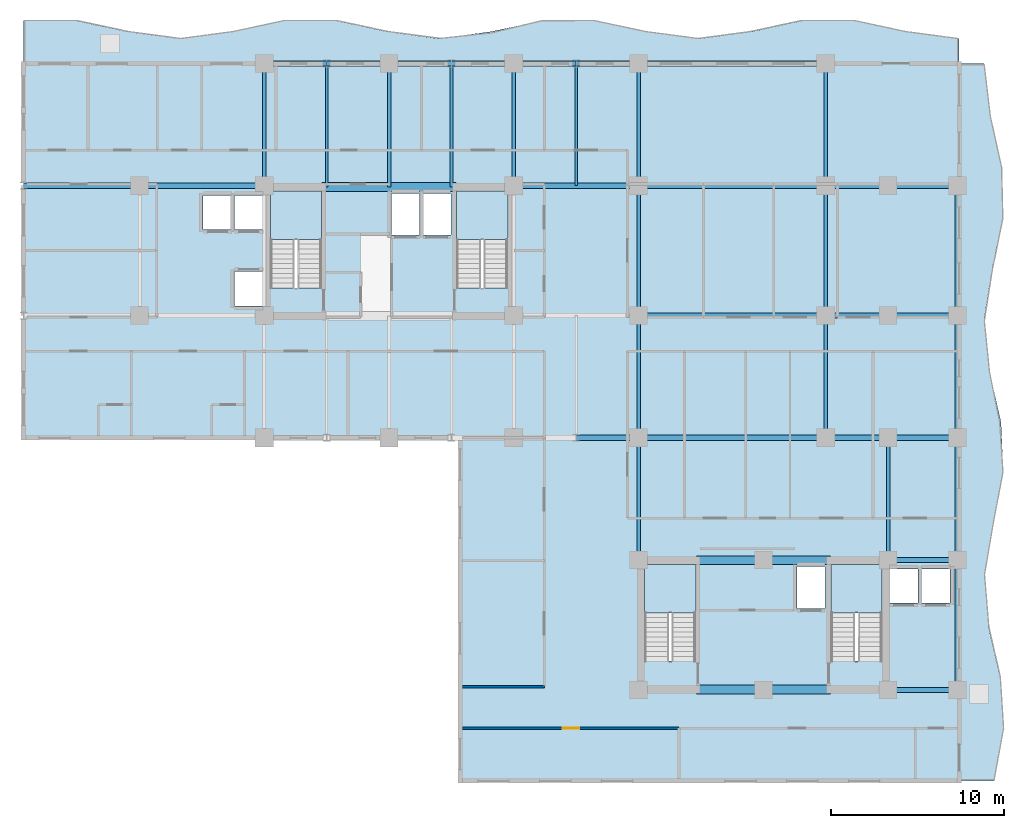
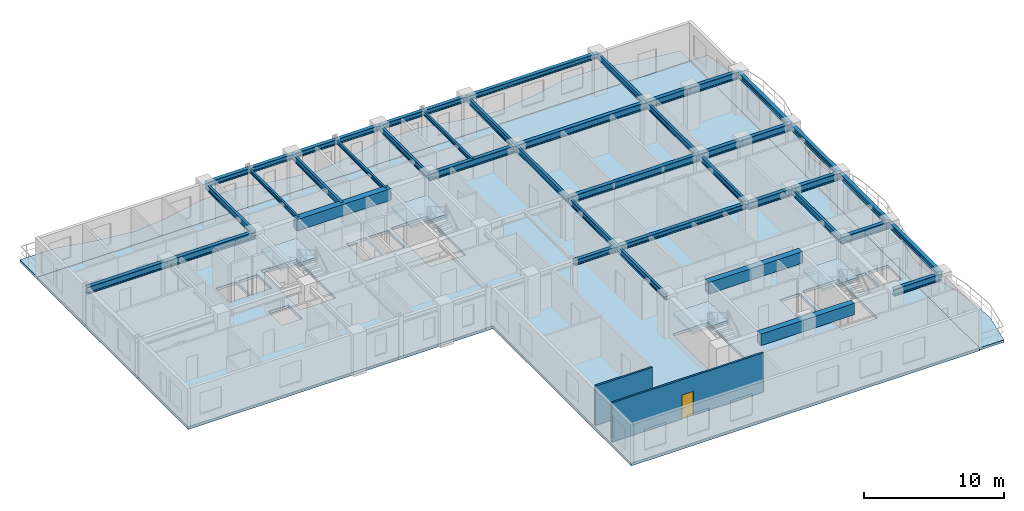
# One storey, part 3 of 12: 43 beams, 7 slabs, 2 walls, 1 door, 1 opening, 4 elements without a shape of their own.
"""IFC4 building model written with IfcOpenShell, lengths in metres."""

from ifc_helpers import new_model, si_unit, direction, frame, frame_2d, origin, origin_2d, place, context, subcontext, project, spatial, polyline, rectangle, i_section, outline, extrude, source, transform, mapped, material, layer, layer_set, material_profile, profile_set, type_object, element, fill, aggregate, save


model = new_model("IFC4")

# Units and contexts
model_context = context("Model", 3, precision=1e-05, world=origin(), true_north=direction((0.0, 1.0)))
body_context = subcontext(model_context, "Body", "Model", "MODEL_VIEW")
ifc_project = project(units=[si_unit("LENGTHUNIT", "METRE"), si_unit("AREAUNIT", "SQUARE_METRE"), si_unit("VOLUMEUNIT", "CUBIC_METRE"), si_unit("PLANEANGLEUNIT", "RADIAN"), si_unit("MASSUNIT", "GRAM", prefix="KILO")], contexts=[model_context])

# Site, building, storey
site_placement = place(None, origin())
site = spatial("IfcSite", under=ifc_project, at=site_placement, CompositionType="ELEMENT")
building_placement = place(site_placement, origin())
building = spatial("IfcBuilding", under=site, at=building_placement, Name="Kaliganga Portal Commons", CompositionType="ELEMENT")
storey_placement = place(building_placement, frame((0.0, 0.0, 147.60009765625)))
storey = spatial("IfcBuildingStorey", under=building, at=storey_placement, Name="L37", CompositionType="ELEMENT", Elevation=147.60009765625)

# Beams
ifc_material_1 = material(Name="Concrete C50/60", Category="concrete")
ifc_material_profile_1 = material_profile(ifc_material_1, rectangle(XDim=0.5, YDim=1.0, at=origin_2d()), Name="RC 500x1000")
ifc_profile_set_1 = profile_set([ifc_material_profile_1], Name="Concrete C50/60")
beam_type_1 = type_object("IfcBeamType", Name="BM-CPL-1000", PredefinedType="LINTEL", material=ifc_profile_set_1)
shared_shape_1 = source(origin(), body_context, "Body", "SweptSolid", [
    extrude(rectangle(XDim=0.5, YDim=1.0, at=origin_2d()), origin(), (0.0, 0.0, 1.0), 7.739990234375),
])
for number, where, z_axis, x_axis, name in (
    (1, (17.72998046875, 36.074951171875, 2.9599609375), (1.0, 0.0, 0.0), (0.0, 1.0, 0.0), "BM CPL COREA L37 N"),
    (2, (39.330078125, 7.074951171875, 2.9599609375), (1.0, 0.0, 0.0), (0.0, 1.0, 0.0), "BM CPL COREB L37 S"),
    (3, (39.330078125, 14.52490234375, 2.9599609375), (1.0, 0.0, 0.0), (0.0, 1.0, 0.0), "BM CPL COREB L37 N"),
):
    element("IfcBeam", number, at=place(storey_placement, frame(where, z_axis=z_axis, x_axis=x_axis)), inside=storey, type_object=beam_type_1, Name=name, PredefinedType="LINTEL", context=body_context, shape_type="MappedRepresentation", body=[
        mapped(shared_shape_1, transform((0.0, 0.0, 0.0), x_axis=(1.0, 0.0, 0.0), y_axis=(0.0, 1.0, 0.0), z_axis=(0.0, 0.0, 1.0), scale=1.0)),
    ])
ifc_material_2 = material(Name="Structural steel S355J2", Category="steel")
ifc_material_profile_2 = material_profile(ifc_material_2, i_section(OverallWidth=0.199951171875, OverallDepth=0.5, WebThickness=0.01025390625, FlangeThickness=0.01611328125, FilletRadius=0.02099609375, at=origin_2d()), Name="IPE 500")
ifc_profile_set_2 = profile_set([ifc_material_profile_2], Name="Structural steel S355J2 wide-flange")
beam_type_2 = type_object("IfcBeamType", Name="BM-FLR-500", PredefinedType="BEAM", material=ifc_profile_set_2)
shared_shape_2 = source(origin(), body_context, "Body", "SweptSolid", [
    extrude(i_section(OverallWidth=0.199951171875, OverallDepth=0.5, WebThickness=0.01025390625, FlangeThickness=0.01611328125, FilletRadius=0.02099609375, at=origin_2d()), origin(), (0.0, 0.0, 1.0), 7.5),
])
for number, where, z_axis, x_axis, name in (
    (4, (36.0, 28.64990234375, 3.2099609375), (0.0, 1.0, 0.0), (-1.0, 0.0, 0.0), "BM G L37 AM360"),
    (5, (46.800048828125, 28.64990234375, 3.2099609375), (0.0, 1.0, 0.0), (-1.0, 0.0, 0.0), "BM G L37 AM468"),
):
    element("IfcBeam", number, at=place(storey_placement, frame(where, z_axis=z_axis, x_axis=x_axis)), inside=storey, type_object=beam_type_2, Name=name, PredefinedType="BEAM", context=body_context, shape_type="MappedRepresentation", body=[
        mapped(shared_shape_2, transform((0.0, 0.0, 0.0), x_axis=(1.0, 0.0, 0.0), y_axis=(0.0, 1.0, 0.0), z_axis=(0.0, 0.0, 1.0), scale=1.0)),
    ])
shared_shape_3 = source(origin(), body_context, "Body", "SweptSolid", [
    extrude(i_section(OverallWidth=0.199951171875, OverallDepth=0.5, WebThickness=0.01025390625, FlangeThickness=0.01611328125, FilletRadius=0.02099609375, at=origin_2d()), origin(), (0.0, 0.0, 1.0), 7.050048828125),
])
for number, where, z_axis, x_axis, name in (
    (6, (14.39990234375, 36.14990234375, 3.2099609375), (0.0, 1.0, 0.0), (-1.0, 0.0, 0.0), "BM G L37 AN144"),
    (7, (28.800048828125, 36.14990234375, 3.2099609375), (0.0, 1.0, 0.0), (-1.0, 0.0, 0.0), "BM G L37 AN288"),
    (8, (36.0, 36.14990234375, 3.2099609375), (0.0, 1.0, 0.0), (-1.0, 0.0, 0.0), "BM G L37 AN360"),
    (9, (46.800048828125, 36.14990234375, 3.2099609375), (0.0, 1.0, 0.0), (-1.0, 0.0, 0.0), "BM G L37 AN468"),
    (10, (36.0, 14.550048828125, 3.2099609375), (0.0, 1.0, 0.0), (-1.0, 0.0, 0.0), "BM G L37 BNK360"),
    (11, (50.39990234375, 14.550048828125, 3.2099609375), (0.0, 1.0, 0.0), (-1.0, 0.0, 0.0), "BM G L37 BNK504"),
):
    element("IfcBeam", number, at=place(storey_placement, frame(where, z_axis=z_axis, x_axis=x_axis)), inside=storey, type_object=beam_type_2, Name=name, PredefinedType="BEAM", context=body_context, shape_type="MappedRepresentation", body=[
        mapped(shared_shape_3, transform((0.0, 0.0, 0.0), x_axis=(1.0, 0.0, 0.0), y_axis=(0.0, 1.0, 0.0), z_axis=(0.0, 0.0, 1.0), scale=1.0)),
    ])
shared_shape_4 = source(origin(), body_context, "Body", "SweptSolid", [
    extrude(i_section(OverallWidth=0.199951171875, OverallDepth=0.5, WebThickness=0.01025390625, FlangeThickness=0.01611328125, FilletRadius=0.02099609375, at=origin_2d()), origin(), (0.0, 0.0, 1.0), 7.0498046875),
])
for number, where, z_axis, x_axis, name in (
    (12, (36.0, 21.60009765625, 3.2099609375), (0.0, 1.0, 0.0), (-1.0, 0.0, 0.0), "BM G L37 AS360"),
    (13, (46.800048828125, 21.60009765625, 3.2099609375), (0.0, 1.0, 0.0), (-1.0, 0.0, 0.0), "BM G L37 AS468"),
):
    element("IfcBeam", number, at=place(storey_placement, frame(where, z_axis=z_axis, x_axis=x_axis)), inside=storey, type_object=beam_type_2, Name=name, PredefinedType="BEAM", context=body_context, shape_type="MappedRepresentation", body=[
        mapped(shared_shape_4, transform((0.0, 0.0, 0.0), x_axis=(1.0, 0.0, 0.0), y_axis=(0.0, 1.0, 0.0), z_axis=(0.0, 0.0, 1.0), scale=1.0)),
    ])
ifc_material_profile_3 = material_profile(ifc_material_2, i_section(OverallWidth=0.300048828125, OverallDepth=0.449951171875, WebThickness=0.013916015625, FlangeThickness=0.02587890625, FilletRadius=0.027099609375, at=origin_2d()), Name="HE 450 B")
ifc_profile_set_3 = profile_set([ifc_material_profile_3], Name="Structural steel S355J2 wide-flange")
beam_type_3 = type_object("IfcBeamType", Name="BM-SPAND-450", PredefinedType="SPANDREL", material=ifc_profile_set_3)
shared_shape_5 = source(origin(), body_context, "Body", "SweptSolid", [
    extrude(i_section(OverallWidth=0.300048828125, OverallDepth=0.449951171875, WebThickness=0.013916015625, FlangeThickness=0.02587890625, FilletRadius=0.027099609375, at=origin_2d()), origin(), (0.0, 0.0, 1.0), 3.60009765625),
])
for number, where, z_axis, x_axis, name in (
    (14, (14.39990234375, 43.199951171875, 3.23486328125), (1.0, 0.0, 0.0), (0.0, 1.0, 0.0), "BM SP L37 AN 1"),
    (15, (18.0, 43.199951171875, 3.23486328125), (1.0, 0.0, 0.0), (0.0, 1.0, 0.0), "BM SP L37 AN 2"),
    (16, (25.199951171875, 43.199951171875, 3.23486328125), (1.0, 0.0, 0.0), (0.0, 1.0, 0.0), "BM SP L37 AN 4"),
    (17, (32.39990234375, 43.199951171875, 3.23486328125), (1.0, 0.0, 0.0), (0.0, 1.0, 0.0), "BM SP L37 AN 6"),
    (18, (32.39990234375, 21.60009765625, 3.23486328125), (1.0, 0.0, 0.0), (0.0, 1.0, 0.0), "BM SP L37 AS 6"),
):
    element("IfcBeam", number, at=place(storey_placement, frame(where, z_axis=z_axis, x_axis=x_axis)), inside=storey, type_object=beam_type_3, Name=name, PredefinedType="SPANDREL", context=body_context, shape_type="MappedRepresentation", body=[
        mapped(shared_shape_5, transform((0.0, 0.0, 0.0), x_axis=(1.0, 0.0, 0.0), y_axis=(0.0, 1.0, 0.0), z_axis=(0.0, 0.0, 1.0), scale=1.0)),
    ])
shared_shape_6 = source(origin(), body_context, "Body", "SweptSolid", [
    extrude(i_section(OverallWidth=0.300048828125, OverallDepth=0.449951171875, WebThickness=0.013916015625, FlangeThickness=0.02587890625, FilletRadius=0.027099609375, at=origin_2d()), origin(), (0.0, 0.0, 1.0), 3.599853515625),
])
for number, where, z_axis, x_axis, name in (
    (19, (21.60009765625, 43.199951171875, 3.23486328125), (1.0, 0.0, 0.0), (0.0, 1.0, 0.0), "BM SP L37 AN 3"),
    (20, (28.800048828125, 43.199951171875, 3.23486328125), (1.0, 0.0, 0.0), (0.0, 1.0, 0.0), "BM SP L37 AN 5"),
):
    element("IfcBeam", number, at=place(storey_placement, frame(where, z_axis=z_axis, x_axis=x_axis)), inside=storey, type_object=beam_type_3, Name=name, PredefinedType="SPANDREL", context=body_context, shape_type="MappedRepresentation", body=[
        mapped(shared_shape_6, transform((0.0, 0.0, 0.0), x_axis=(1.0, 0.0, 0.0), y_axis=(0.0, 1.0, 0.0), z_axis=(0.0, 0.0, 1.0), scale=1.0)),
    ])
shared_shape_7 = source(origin(), body_context, "Body", "SweptSolid", [
    extrude(i_section(OverallWidth=0.300048828125, OverallDepth=0.449951171875, WebThickness=0.013916015625, FlangeThickness=0.02587890625, FilletRadius=0.027099609375, at=origin_2d()), origin(), (0.0, 0.0, 1.0), 10.800048828125),
])
for number, where, z_axis, x_axis, name in (
    (21, (36.0, 43.199951171875, 3.23486328125), (1.0, 0.0, 0.0), (0.0, 1.0, 0.0), "BM SP L37 AN 7"),
    (22, (36.0, 21.60009765625, 3.23486328125), (1.0, 0.0, 0.0), (0.0, 1.0, 0.0), "BM SP L37 AS 7"),
):
    element("IfcBeam", number, at=place(storey_placement, frame(where, z_axis=z_axis, x_axis=x_axis)), inside=storey, type_object=beam_type_3, Name=name, PredefinedType="SPANDREL", context=body_context, shape_type="MappedRepresentation", body=[
        mapped(shared_shape_7, transform((0.0, 0.0, 0.0), x_axis=(1.0, 0.0, 0.0), y_axis=(0.0, 1.0, 0.0), z_axis=(0.0, 0.0, 1.0), scale=1.0)),
    ])
ifc_material_profile_4 = material_profile(ifc_material_2, i_section(OverallWidth=0.159912109375, OverallDepth=0.330078125, WebThickness=0.007568359375, FlangeThickness=0.011474609375, FilletRadius=0.01806640625, at=origin_2d()), Name="IPE 330")
ifc_profile_set_4 = profile_set([ifc_material_profile_4], Name="Structural steel S355J2 wide-flange")
beam_type_4 = type_object("IfcBeamType", Name="BM-JST-330", PredefinedType="JOIST", material=ifc_profile_set_4)
shared_shape_8 = source(origin(), body_context, "Body", "SweptSolid", [
    extrude(i_section(OverallWidth=0.159912109375, OverallDepth=0.330078125, WebThickness=0.007568359375, FlangeThickness=0.011474609375, FilletRadius=0.01806640625, at=origin_2d()), origin(), (0.0, 0.0, 1.0), 7.050048828125),
])
beam_1_placement = place(storey_placement, frame((32.39990234375, 36.14990234375, 3.294921875), z_axis=(0.0, 1.0, 0.0), x_axis=(-1.0, 0.0, 0.0)))
element("IfcBeam", 23, at=beam_1_placement, inside=storey, type_object=beam_type_4, Name="BM G L37 AN324", PredefinedType="JOIST", context=body_context, shape_type="MappedRepresentation", body=[
    mapped(shared_shape_8, transform((0.0, 0.0, 0.0), x_axis=(1.0, 0.0, 0.0), y_axis=(0.0, 1.0, 0.0), z_axis=(0.0, 0.0, 1.0), scale=1.0)),
])
shared_shape_9 = source(origin(), body_context, "Body", "SweptSolid", [
    extrude(i_section(OverallWidth=0.300048828125, OverallDepth=0.449951171875, WebThickness=0.013916015625, FlangeThickness=0.02587890625, FilletRadius=0.027099609375, at=origin_2d()), origin(), (0.0, 0.0, 1.0), 7.5),
])
for number, where, z_axis, x_axis, name in (
    (24, (54.39990234375, 7.050048828125, 3.23486328125), (0.0, 1.0, 0.0), (-1.0, 0.0, 0.0), "BM SP L37 BE 1"),
    (25, (54.39990234375, 28.64990234375, 3.23486328125), (0.0, 1.0, 0.0), (-1.0, 0.0, 0.0), "BM SP L37 BE 4"),
):
    element("IfcBeam", number, at=place(storey_placement, frame(where, z_axis=z_axis, x_axis=x_axis)), inside=storey, type_object=beam_type_3, Name=name, PredefinedType="SPANDREL", context=body_context, shape_type="MappedRepresentation", body=[
        mapped(shared_shape_9, transform((0.0, 0.0, 0.0), x_axis=(1.0, 0.0, 0.0), y_axis=(0.0, 1.0, 0.0), z_axis=(0.0, 0.0, 1.0), scale=1.0)),
    ])
shared_shape_10 = source(origin(), body_context, "Body", "SweptSolid", [
    extrude(i_section(OverallWidth=0.300048828125, OverallDepth=0.449951171875, WebThickness=0.013916015625, FlangeThickness=0.02587890625, FilletRadius=0.027099609375, at=origin_2d()), origin(), (0.0, 0.0, 1.0), 7.050048828125),
])
beam_2_placement = place(storey_placement, frame((54.39990234375, 14.550048828125, 3.23486328125), z_axis=(0.0, 1.0, 0.0), x_axis=(-1.0, 0.0, 0.0)))
element("IfcBeam", 26, at=beam_2_placement, inside=storey, type_object=beam_type_3, Name="BM SP L37 BE 2", PredefinedType="SPANDREL", context=body_context, shape_type="MappedRepresentation", body=[
    mapped(shared_shape_10, transform((0.0, 0.0, 0.0), x_axis=(1.0, 0.0, 0.0), y_axis=(0.0, 1.0, 0.0), z_axis=(0.0, 0.0, 1.0), scale=1.0)),
])
shared_shape_11 = source(origin(), body_context, "Body", "SweptSolid", [
    extrude(i_section(OverallWidth=0.300048828125, OverallDepth=0.449951171875, WebThickness=0.013916015625, FlangeThickness=0.02587890625, FilletRadius=0.027099609375, at=origin_2d()), origin(), (0.0, 0.0, 1.0), 7.0498046875),
])
beam_3_placement = place(storey_placement, frame((54.39990234375, 21.60009765625, 3.23486328125), z_axis=(0.0, 1.0, 0.0), x_axis=(-1.0, 0.0, 0.0)))
element("IfcBeam", 27, at=beam_3_placement, inside=storey, type_object=beam_type_3, Name="BM SP L37 BE 3", PredefinedType="SPANDREL", context=body_context, shape_type="MappedRepresentation", body=[
    mapped(shared_shape_11, transform((0.0, 0.0, 0.0), x_axis=(1.0, 0.0, 0.0), y_axis=(0.0, 1.0, 0.0), z_axis=(0.0, 0.0, 1.0), scale=1.0)),
])
ifc_material_profile_5 = material_profile(ifc_material_2, i_section(OverallWidth=0.300048828125, OverallDepth=0.60009765625, WebThickness=0.015380859375, FlangeThickness=0.030029296875, FilletRadius=0.027099609375, at=origin_2d()), Name="HE 600 B")
ifc_profile_set_5 = profile_set([ifc_material_profile_5], Name="Structural steel S355J2 wide-flange")
beam_type_5 = type_object("IfcBeamType", Name="BM-GIRD-600", PredefinedType="USERDEFINED", material=ifc_profile_set_5)
shared_shape_12 = source(origin(), body_context, "Body", "SweptSolid", [
    extrude(i_section(OverallWidth=0.300048828125, OverallDepth=0.60009765625, WebThickness=0.015380859375, FlangeThickness=0.030029296875, FilletRadius=0.027099609375, at=origin_2d()), origin(), (0.0, 0.0, 1.0), 6.699951171875),
])
beam_4_placement = place(storey_placement, frame((0.5, 36.14990234375, 3.159912109375), z_axis=(1.0, 0.0, 0.0), x_axis=(0.0, 1.0, 0.0)))
element("IfcBeam", 28, at=beam_4_placement, inside=storey, type_object=beam_type_5, Name="BM G L37 WAH_N 1", ObjectType="GIRDER", PredefinedType="USERDEFINED", context=body_context, shape_type="MappedRepresentation", body=[
    mapped(shared_shape_12, transform((0.0, 0.0, 0.0), x_axis=(1.0, 0.0, 0.0), y_axis=(0.0, 1.0, 0.0), z_axis=(0.0, 0.0, 1.0), scale=1.0)),
])
shared_shape_13 = source(origin(), body_context, "Body", "SweptSolid", [
    extrude(i_section(OverallWidth=0.300048828125, OverallDepth=0.60009765625, WebThickness=0.015380859375, FlangeThickness=0.030029296875, FilletRadius=0.027099609375, at=origin_2d()), origin(), (0.0, 0.0, 1.0), 7.199951171875),
])
for number, where, z_axis, x_axis, name in (
    (29, (7.199951171875, 36.14990234375, 3.159912109375), (1.0, 0.0, 0.0), (0.0, 1.0, 0.0), "BM G L37 WAH_N 2"),
    (30, (28.800048828125, 36.14990234375, 3.159912109375), (1.0, 0.0, 0.0), (0.0, 1.0, 0.0), "BM G L37 WAE_N 1"),
):
    element("IfcBeam", number, at=place(storey_placement, frame(where, z_axis=z_axis, x_axis=x_axis)), inside=storey, type_object=beam_type_5, Name=name, ObjectType="GIRDER", PredefinedType="USERDEFINED", context=body_context, shape_type="MappedRepresentation", body=[
        mapped(shared_shape_13, transform((0.0, 0.0, 0.0), x_axis=(1.0, 0.0, 0.0), y_axis=(0.0, 1.0, 0.0), z_axis=(0.0, 0.0, 1.0), scale=1.0)),
    ])
shared_shape_14 = source(origin(), body_context, "Body", "SweptSolid", [
    extrude(i_section(OverallWidth=0.300048828125, OverallDepth=0.60009765625, WebThickness=0.015380859375, FlangeThickness=0.030029296875, FilletRadius=0.027099609375, at=origin_2d()), origin(), (0.0, 0.0, 1.0), 10.800048828125),
])
for number, where, z_axis, x_axis, name in (
    (31, (36.0, 28.64990234375, 3.159912109375), (1.0, 0.0, 0.0), (0.0, 1.0, 0.0), "BM G L37 WAE_S 2"),
    (32, (36.0, 36.14990234375, 3.159912109375), (1.0, 0.0, 0.0), (0.0, 1.0, 0.0), "BM G L37 WAE_N 2"),
):
    element("IfcBeam", number, at=place(storey_placement, frame(where, z_axis=z_axis, x_axis=x_axis)), inside=storey, type_object=beam_type_5, Name=name, ObjectType="GIRDER", PredefinedType="USERDEFINED", context=body_context, shape_type="MappedRepresentation", body=[
        mapped(shared_shape_14, transform((0.0, 0.0, 0.0), x_axis=(1.0, 0.0, 0.0), y_axis=(0.0, 1.0, 0.0), z_axis=(0.0, 0.0, 1.0), scale=1.0)),
    ])
shared_shape_15 = source(origin(), body_context, "Body", "SweptSolid", [
    extrude(i_section(OverallWidth=0.159912109375, OverallDepth=0.330078125, WebThickness=0.007568359375, FlangeThickness=0.011474609375, FilletRadius=0.01806640625, at=origin_2d()), origin(), (0.0, 0.0, 1.0), 7.125),
])
for number, where, z_axis, x_axis, name in (
    (33, (18.0, 36.074951171875, 3.294921875), (0.0, 1.0, 0.0), (-1.0, 0.0, 0.0), "BM G L37 AN180"),
    (34, (25.199951171875, 36.074951171875, 3.294921875), (0.0, 1.0, 0.0), (-1.0, 0.0, 0.0), "BM G L37 AN252"),
):
    element("IfcBeam", number, at=place(storey_placement, frame(where, z_axis=z_axis, x_axis=x_axis)), inside=storey, type_object=beam_type_4, Name=name, PredefinedType="JOIST", context=body_context, shape_type="MappedRepresentation", body=[
        mapped(shared_shape_15, transform((0.0, 0.0, 0.0), x_axis=(1.0, 0.0, 0.0), y_axis=(0.0, 1.0, 0.0), z_axis=(0.0, 0.0, 1.0), scale=1.0)),
    ])
shared_shape_16 = source(origin(), body_context, "Body", "SweptSolid", [
    extrude(i_section(OverallWidth=0.199951171875, OverallDepth=0.5, WebThickness=0.01025390625, FlangeThickness=0.01611328125, FilletRadius=0.02099609375, at=origin_2d()), origin(), (0.0, 0.0, 1.0), 7.125),
])
beam_5_placement = place(storey_placement, frame((21.60009765625, 36.074951171875, 3.2099609375), z_axis=(0.0, 1.0, 0.0), x_axis=(-1.0, 0.0, 0.0)))
element("IfcBeam", 35, at=beam_5_placement, inside=storey, type_object=beam_type_2, Name="BM G L37 AN216", PredefinedType="BEAM", context=body_context, shape_type="MappedRepresentation", body=[
    mapped(shared_shape_16, transform((0.0, 0.0, 0.0), x_axis=(1.0, 0.0, 0.0), y_axis=(0.0, 1.0, 0.0), z_axis=(0.0, 0.0, 1.0), scale=1.0)),
])
shared_shape_17 = source(origin(), body_context, "Body", "SweptSolid", [
    extrude(i_section(OverallWidth=0.300048828125, OverallDepth=0.60009765625, WebThickness=0.015380859375, FlangeThickness=0.030029296875, FilletRadius=0.027099609375, at=origin_2d()), origin(), (0.0, 0.0, 1.0), 4.0),
])
for number, where, z_axis, x_axis, name in (
    (36, (50.39990234375, 7.050048828125, 3.159912109375), (1.0, 0.0, 0.0), (0.0, 1.0, 0.0), "BM G L37 BKE70 1"),
    (37, (50.39990234375, 14.550048828125, 3.159912109375), (1.0, 0.0, 0.0), (0.0, 1.0, 0.0), "BM G L37 BKE146 1"),
    (38, (50.39990234375, 21.60009765625, 3.159912109375), (1.0, 0.0, 0.0), (0.0, 1.0, 0.0), "BM G L37 BKE216 2"),
    (39, (50.39990234375, 28.64990234375, 3.159912109375), (1.0, 0.0, 0.0), (0.0, 1.0, 0.0), "BM G L37 BKE286 2"),
    (40, (50.39990234375, 36.14990234375, 3.159912109375), (1.0, 0.0, 0.0), (0.0, 1.0, 0.0), "BM G L37 BKE362 2"),
):
    element("IfcBeam", number, at=place(storey_placement, frame(where, z_axis=z_axis, x_axis=x_axis)), inside=storey, type_object=beam_type_5, Name=name, ObjectType="GIRDER", PredefinedType="USERDEFINED", context=body_context, shape_type="MappedRepresentation", body=[
        mapped(shared_shape_17, transform((0.0, 0.0, 0.0), x_axis=(1.0, 0.0, 0.0), y_axis=(0.0, 1.0, 0.0), z_axis=(0.0, 0.0, 1.0), scale=1.0)),
    ])
shared_shape_18 = source(origin(), body_context, "Body", "SweptSolid", [
    extrude(i_section(OverallWidth=0.300048828125, OverallDepth=0.60009765625, WebThickness=0.015380859375, FlangeThickness=0.030029296875, FilletRadius=0.027099609375, at=origin_2d()), origin(), (0.0, 0.0, 1.0), 3.599853515625),
])
for number, where, z_axis, x_axis, name in (
    (41, (46.800048828125, 21.60009765625, 3.159912109375), (1.0, 0.0, 0.0), (0.0, 1.0, 0.0), "BM G L37 BKE216 1"),
    (42, (46.800048828125, 28.64990234375, 3.159912109375), (1.0, 0.0, 0.0), (0.0, 1.0, 0.0), "BM G L37 BKE286 1"),
    (43, (46.800048828125, 36.14990234375, 3.159912109375), (1.0, 0.0, 0.0), (0.0, 1.0, 0.0), "BM G L37 BKE362 1"),
):
    element("IfcBeam", number, at=place(storey_placement, frame(where, z_axis=z_axis, x_axis=x_axis)), inside=storey, type_object=beam_type_5, Name=name, ObjectType="GIRDER", PredefinedType="USERDEFINED", context=body_context, shape_type="MappedRepresentation", body=[
        mapped(shared_shape_18, transform((0.0, 0.0, 0.0), x_axis=(1.0, 0.0, 0.0), y_axis=(0.0, 1.0, 0.0), z_axis=(0.0, 0.0, 1.0), scale=1.0)),
    ])

# Slabs
ifc_material_3 = material(Name="Concrete C40/50", Category="concrete")
ifc_layer_1 = layer(ifc_material_3, 0.2099609375)
ifc_layer_set_1 = layer_set([ifc_layer_1], Name="Concrete C40/50")
slab_type_1 = type_object("IfcSlabType", Name="SLB-BALC-210", PredefinedType="FLOOR", material=ifc_layer_set_1)
slab_1_placement = place(storey_placement, frame((0.0, 0.0, -0.210205078125)))
element("IfcSlab", 44, at=slab_1_placement, inside=storey, type_object=slab_type_1, Name="Scalloped Tree-Planter Balcony Slab L37 balc_north", PredefinedType="FLOOR", context=body_context, shape_type="SweptSolid", body=[
    extrude(outline(polyline([(54.5, 43.199951171875), (54.5, 44.642822265625), (51.5, 45.042724609375), (48.5, 45.689453125), (45.5, 45.689453125), (42.5, 45.042724609375), (39.5, 44.642822265625), (36.5, 45.042724609375), (33.5, 45.689453125), (30.5, 45.689453125), (27.5, 45.042724609375), (24.5, 44.642822265625), (21.5, 45.042724609375), (18.5, 45.689453125), (15.5, 45.689453125), (12.5, 45.042724609375), (9.5, 44.642822265625), (6.5, 45.042724609375), (3.5, 45.689453125), (0.5, 45.689453125), (0.5, 43.199951171875), (54.5, 43.199951171875)])), origin(), (0.0, 0.0, 1.0), 0.210205078125),
])
slab_2_placement = place(storey_placement, frame((0.0, 0.0, -0.210205078125)))
element("IfcSlab", 45, at=slab_2_placement, inside=storey, type_object=slab_type_1, Name="Scalloped Tree-Planter Balcony Slab L37 balc_east", PredefinedType="FLOOR", context=body_context, shape_type="SweptSolid", body=[
    extrude(outline(polyline([(54.5, 1.800048828125), (56.521484375, 1.800048828125), (57.068359375, 4.757080078125), (56.878173828125, 7.71435546875), (56.20703125, 10.67138671875), (55.959716796875, 13.628662109375), (56.469482421875, 16.585693359375), (57.04931640625, 19.54296875), (56.91748046875, 22.5), (56.251953125, 25.45703125), (55.94970703125, 28.414306640625), (56.418212890625, 31.371337890625), (57.02587890625, 34.32861328125), (56.95361328125, 37.28564453125), (56.298828125, 40.242919921875), (55.944091796875, 43.199951171875), (54.5, 43.199951171875), (54.5, 1.800048828125)])), origin(), (0.0, 0.0, 1.0), 0.210205078125),
])

# Stair, slab
stair_type = type_object("IfcStairType", Name="ST-CORE-DOGLEG", PredefinedType="HALF_TURN_STAIR", material=ifc_material_3)
stair_1_placement = place(storey_placement, origin())
stair_1 = element("IfcStair", 46, at=stair_1_placement, inside=storey, type_object=stair_type, Name="L37 Protected Exit Stair ST-A1", PredefinedType="HALF_TURN_STAIR")
ifc_layer_2 = layer(ifc_material_3, 0.199951171875)
ifc_layer_set_2 = layer_set([ifc_layer_2], Name="Concrete C40/50")
slab_type_2 = type_object("IfcSlabType", Name="SLB-STAIR-LND", PredefinedType="LANDING", material=ifc_layer_set_2)
slab_3_placement = place(storey_placement, frame((0.0, 0.0, 1.64990234375)))
slab_3 = element("IfcSlab", 47, at=slab_3_placement, type_object=slab_type_2, Name="ST-A1 landing 1", PredefinedType="LANDING", context=body_context, shape_type="SweptSolid", body=[
    extrude(outline(polyline([(17.699951171875, 33.050048828125), (17.699951171875, 35.85009765625), (14.75, 35.85009765625), (14.75, 33.050048828125), (17.699951171875, 33.050048828125)])), origin(), (0.0, 0.0, 1.0), 0.199951171875),
])
aggregate(stair_1, [slab_3])

stair_2_placement = place(storey_placement, origin())
stair_2 = element("IfcStair", 48, at=stair_2_placement, inside=storey, type_object=stair_type, Name="L37 Protected Exit Stair ST-A2", PredefinedType="HALF_TURN_STAIR")
slab_4_placement = place(storey_placement, frame((0.0, 0.0, 1.64990234375)))
slab_4 = element("IfcSlab", 49, at=slab_4_placement, type_object=slab_type_2, Name="ST-A2 landing 1", PredefinedType="LANDING", context=body_context, shape_type="SweptSolid", body=[
    extrude(outline(polyline([(28.449951171875, 33.050048828125), (28.449951171875, 35.85009765625), (25.5, 35.85009765625), (25.5, 33.050048828125), (28.449951171875, 33.050048828125)])), origin(), (0.0, 0.0, 1.0), 0.199951171875),
])
aggregate(stair_2, [slab_4])

stair_3_placement = place(storey_placement, origin())
stair_3 = element("IfcStair", 50, at=stair_3_placement, inside=storey, type_object=stair_type, Name="L37 Protected Exit Stair ST-B1", PredefinedType="HALF_TURN_STAIR")
slab_5_placement = place(storey_placement, frame((0.0, 0.0, 1.64990234375)))
slab_5 = element("IfcSlab", 51, at=slab_5_placement, type_object=slab_type_2, Name="ST-B1 landing 1", PredefinedType="LANDING", context=body_context, shape_type="SweptSolid", body=[
    extrude(outline(polyline([(39.300048828125, 11.5), (39.300048828125, 14.300048828125), (36.35009765625, 14.300048828125), (36.35009765625, 11.5), (39.300048828125, 11.5)])), origin(), (0.0, 0.0, 1.0), 0.199951171875),
])
aggregate(stair_3, [slab_5])

stair_4_placement = place(storey_placement, origin())
stair_4 = element("IfcStair", 52, at=stair_4_placement, inside=storey, type_object=stair_type, Name="L37 Protected Exit Stair ST-B2", PredefinedType="HALF_TURN_STAIR")
slab_6_placement = place(storey_placement, frame((0.0, 0.0, 1.64990234375)))
slab_6 = element("IfcSlab", 53, at=slab_6_placement, type_object=slab_type_2, Name="ST-B2 landing 1", PredefinedType="LANDING", context=body_context, shape_type="SweptSolid", body=[
    extrude(outline(polyline([(50.050048828125, 11.5), (50.050048828125, 14.300048828125), (47.10009765625, 14.300048828125), (47.10009765625, 11.5), (50.050048828125, 11.5)])), origin(), (0.0, 0.0, 1.0), 0.199951171875),
])
aggregate(stair_4, [slab_6])

# Slab
ifc_layer_3 = layer(ifc_material_3, 0.239990234375)
ifc_layer_set_3 = layer_set([ifc_layer_3], Name="Concrete C40/50")
slab_type_3 = type_object("IfcSlabType", Name="SLB-TWR-240", PredefinedType="FLOOR", material=ifc_layer_set_3)
slab_7_placement = place(storey_placement, frame((0.0, 0.0, -0.239990234375)))
element("IfcSlab", 54, at=slab_7_placement, inside=storey, type_object=slab_type_3, Name="Structural Floor Slab L37", PredefinedType="FLOOR", context=body_context, shape_type="SweptSolid", body=[
    extrude(outline(polyline([(25.699951171875, 1.800048828125), (54.5, 1.800048828125), (54.5, 43.199951171875), (0.5, 43.199951171875), (0.5, 21.60009765625), (25.699951171875, 21.60009765625), (25.699951171875, 1.800048828125)]), holes=[polyline([(14.75, 30.25390625), (14.75, 35.85009765625), (17.699951171875, 35.85009765625), (17.699951171875, 30.25390625), (14.75, 30.25390625)]), polyline([(25.5, 30.25390625), (25.5, 35.85009765625), (28.449951171875, 35.85009765625), (28.449951171875, 30.25390625), (25.5, 30.25390625)]), polyline([(36.35009765625, 8.7041015625), (36.35009765625, 14.300048828125), (39.300048828125, 14.300048828125), (39.300048828125, 8.7041015625), (36.35009765625, 8.7041015625)]), polyline([(47.10009765625, 8.7041015625), (47.10009765625, 14.300048828125), (50.050048828125, 14.300048828125), (50.050048828125, 8.7041015625), (47.10009765625, 8.7041015625)]), polyline([(12.6650390625, 33.614990234375), (12.6650390625, 35.5849609375), (14.3349609375, 35.5849609375), (14.3349609375, 33.614990234375), (12.6650390625, 33.614990234375)]), polyline([(12.6650390625, 29.215087890625), (12.6650390625, 31.18505859375), (14.3349609375, 31.18505859375), (14.3349609375, 29.215087890625), (12.6650390625, 29.215087890625)]), polyline([(10.864990234375, 33.614990234375), (10.864990234375, 35.5849609375), (12.534912109375, 35.5849609375), (12.534912109375, 33.614990234375), (10.864990234375, 33.614990234375)]), polyline([(21.739990234375, 33.2900390625), (21.739990234375, 35.7099609375), (23.360107421875, 35.7099609375), (23.360107421875, 33.2900390625), (21.739990234375, 33.2900390625)]), polyline([(23.5400390625, 33.2900390625), (23.5400390625, 35.7099609375), (25.159912109375, 35.7099609375), (25.159912109375, 33.2900390625), (23.5400390625, 33.2900390625)]), polyline([(50.465087890625, 12.06494140625), (50.465087890625, 14.034912109375), (52.135009765625, 14.034912109375), (52.135009765625, 12.06494140625), (50.465087890625, 12.06494140625)]), polyline([(52.31494140625, 12.06494140625), (52.31494140625, 14.034912109375), (53.985107421875, 14.034912109375), (53.985107421875, 12.06494140625), (52.31494140625, 12.06494140625)]), polyline([(45.139892578125, 11.739990234375), (45.139892578125, 14.159912109375), (46.760009765625, 14.159912109375), (46.760009765625, 11.739990234375), (45.139892578125, 11.739990234375)])]), origin(), (0.0, 0.0, 1.0), 0.239990234375),
])

# Wall, opening, door
ifc_material_4 = material(Name="Fire-Rated Gypsum Board on Steel Stud", Category="steel")
ifc_layer_4 = layer(ifc_material_4, 0.14990234375)
ifc_layer_set_4 = layer_set([ifc_layer_4], Name="Fire-Rated Gypsum Board on Steel Stud")
wall_type = type_object("IfcWallType", Name="WL-PART-CORR-150", PredefinedType="PARTITIONING", material=ifc_layer_set_4)
wall_1_placement = place(storey_placement, frame((25.83203125, 4.840087890625, 0.0), z_axis=(0.0, 0.0, 1.0), x_axis=(1.0, 0.0, 0.0)))
wall_1 = element("IfcWall", 55, at=wall_1_placement, inside=storey, type_object=wall_type, Name="Interior Partition L37-008", PredefinedType="PARTITIONING", context=body_context, shape_type="SweptSolid", body=[
    extrude(rectangle(XDim=12.508056640625, YDim=0.14990234375, at=frame_2d((6.25390625, 0.0))), origin(), (0.0, 0.0, 1.0), 3.43994140625),
])
opening_placement = place(wall_1_placement, frame((5.779052734375, 0.0, 0.0)))
opening = element("IfcOpeningElement", 56, at=opening_placement, cuts=wall_1, Name="Opening UD-01", PredefinedType="OPENING", context=body_context, shape_type="SweptSolid", body=[
    extrude(rectangle(XDim=0.949951171875, YDim=2.10009765625, at=frame_2d((0.47509765625, 1.050048828125))), frame((0.0, 0.0849609375, 0.0), z_axis=(0.0, -1.0, 0.0), x_axis=(1.0, 0.0, 0.0)), (0.0, 0.0, 1.0), 0.169921875),
])
ifc_material_5 = material(Name="Solid-Core Timber Acoustic Fire Door", Category="wood")
door_type = type_object("IfcDoorType", Name="DR-UNIT-950", OperationType="NOTDEFINED", PredefinedType="DOOR", material=ifc_material_5)
door_placement = place(opening_placement, origin())
door = element("IfcDoor", 57, at=door_placement, inside=storey, type_object=door_type, Name="Interior Door L37-BS01", OperationType="SINGLE_SWING_LEFT", OverallHeight=2.10009765625, OverallWidth=0.949951171875, PredefinedType="DOOR", context=body_context, shape_type="SweptSolid", body=[
    extrude(rectangle(XDim=0.949951171875, YDim=2.10009765625, at=frame_2d((0.47509765625, 1.050048828125))), frame((0.0, 0.02490234375, 0.0), z_axis=(0.0, -1.0, 0.0), x_axis=(1.0, 0.0, 0.0)), (0.0, 0.0, 1.0), 0.050048828125),
])
fill(opening, door)

# Wall
wall_2_placement = place(storey_placement, frame((25.83203125, 7.239990234375, 0.0), z_axis=(0.0, 0.0, 1.0), x_axis=(1.0, 0.0, 0.0)))
element("IfcWall", 58, at=wall_2_placement, inside=storey, type_object=wall_type, Name="Interior Partition L37-030", PredefinedType="PARTITIONING", context=body_context, shape_type="SweptSolid", body=[
    extrude(rectangle(XDim=4.72802734375, YDim=0.14990234375, at=frame_2d((2.364013671875, 0.0))), origin(), (0.0, 0.0, 1.0), 3.43994140625),
])

save(model, "model.ifc")
